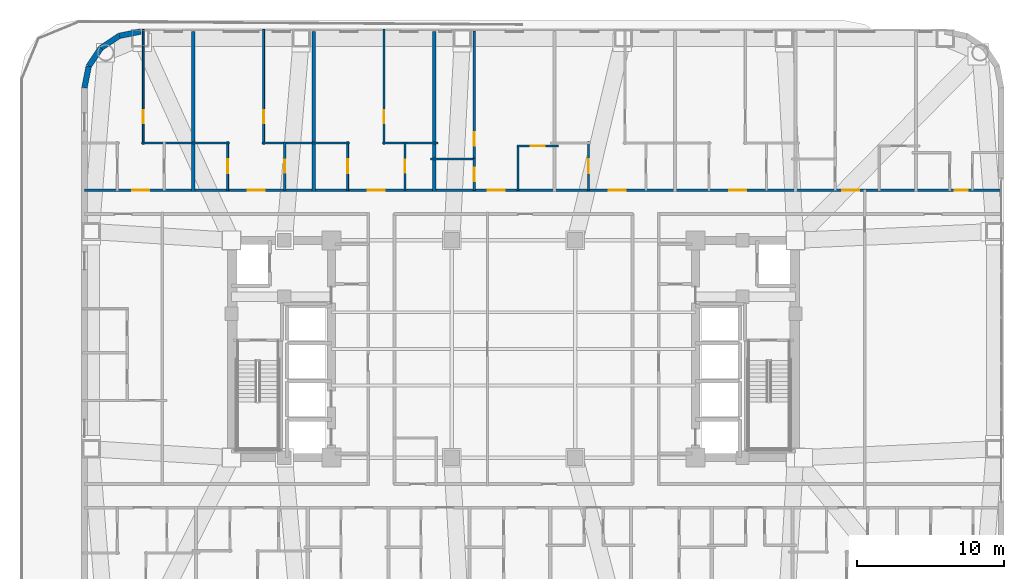
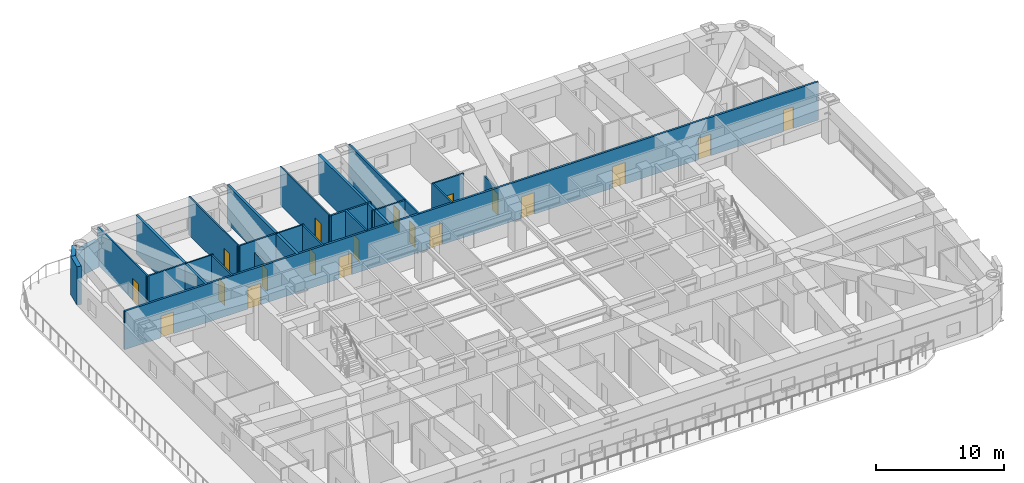
# One storey, part 11 of 18: 26 walls, 19 doors, 19 openings.
"""IFC4 building model written with IfcOpenShell, lengths in metres."""

from ifc_helpers import new_model, si_unit, direction, frame, frame_2d, origin, place, context, subcontext, project, spatial, rectangle, extrude, material, layer, layer_set, type_object, element, fill, save


model = new_model("IFC4")

# Units and contexts
model_context = context("Model", 3, precision=1e-05, world=origin(), true_north=direction((0.0, 1.0)))
body_context = subcontext(model_context, "Body", "Model", "MODEL_VIEW")
ifc_project = project(units=[si_unit("LENGTHUNIT", "METRE"), si_unit("AREAUNIT", "SQUARE_METRE"), si_unit("VOLUMEUNIT", "CUBIC_METRE"), si_unit("PLANEANGLEUNIT", "RADIAN"), si_unit("MASSUNIT", "GRAM", prefix="KILO")], contexts=[model_context])

# Site, building, storey
site_placement = place(None, origin())
site = spatial("IfcSite", under=ifc_project, at=site_placement, CompositionType="ELEMENT")
building_placement = place(site_placement, origin())
building = spatial("IfcBuilding", under=site, at=building_placement, Name="Voryun Gate Residences", CompositionType="ELEMENT")
storey_placement = place(building_placement, frame((0.0, 0.0, 85.800048828125)))
storey = spatial("IfcBuildingStorey", under=building, at=storey_placement, Name="L20", CompositionType="ELEMENT", Elevation=85.800048828125)

# Wall, openings, doors
ifc_material_1 = material(Name="Gypsum acoustic fireboard")
ifc_layer_1 = layer(ifc_material_1, 0.179931640625, Name="W_CORR_RATED_180")
ifc_layer_set_1 = layer_set([ifc_layer_1], Name="Gypsum acoustic fireboard")
wall_type_1 = type_object("IfcWallType", Name="W_CORR_RATED_180", PredefinedType="PARTITIONING", material=ifc_layer_set_1)
wall_1_placement = place(storey_placement, frame((-29.2099609375, 10.800048828125, 0.0), z_axis=(0.0, 0.0, 1.0), x_axis=(1.0, 0.0, 0.0)))
wall_1 = element("IfcWall", 1, at=wall_1_placement, inside=storey, type_object=wall_type_1, Name="Partition wall WP-L20-NCORR", PredefinedType="PARTITIONING", context=body_context, shape_type="SweptSolid", body=[
    extrude(rectangle(XDim=62.419921875, YDim=0.179931640625, at=frame_2d((31.2099609375, 0.0))), origin(), (0.0, 0.0, 1.0), 3.64990234375),
])
opening_1_placement = place(wall_1_placement, frame((3.263916015625, 0.0, 0.0)))
opening_1 = element("IfcOpeningElement", 2, at=opening_1_placement, cuts=wall_1, Name="Opening D-UNIT-1", PredefinedType="OPENING", context=body_context, shape_type="SweptSolid", body=[
    extrude(rectangle(XDim=1.14990234375, YDim=2.050048828125, at=frame_2d((0.574951171875, 1.02490234375))), frame((0.0, 0.099853515625, 0.0), z_axis=(0.0, -1.0, 0.0), x_axis=(1.0, 0.0, 0.0)), (0.0, 0.0, 1.0), 0.199951171875),
])
opening_2_placement = place(wall_1_placement, frame((11.1162109375, 0.0, 0.0)))
opening_2 = element("IfcOpeningElement", 3, at=opening_2_placement, cuts=wall_1, Name="Opening D-UNIT-1", PredefinedType="OPENING", context=body_context, shape_type="SweptSolid", body=[
    extrude(rectangle(XDim=1.14990234375, YDim=2.050048828125, at=frame_2d((0.574951171875, 1.02490234375))), frame((0.0, 0.099853515625, 0.0), z_axis=(0.0, -1.0, 0.0), x_axis=(1.0, 0.0, 0.0)), (0.0, 0.0, 1.0), 0.199951171875),
])
opening_3_placement = place(wall_1_placement, frame((19.299560546875, 0.0, 0.0)))
opening_3 = element("IfcOpeningElement", 4, at=opening_3_placement, cuts=wall_1, Name="Opening D-UNIT-1", PredefinedType="OPENING", context=body_context, shape_type="SweptSolid", body=[
    extrude(rectangle(XDim=1.14990234375, YDim=2.050048828125, at=frame_2d((0.574951171875, 1.02490234375))), frame((0.0, 0.099853515625, 0.0), z_axis=(0.0, -1.0, 0.0), x_axis=(1.0, 0.0, 0.0)), (0.0, 0.0, 1.0), 0.199951171875),
])
opening_4_placement = place(wall_1_placement, frame((27.45166015625, 0.0, 0.0)))
opening_4 = element("IfcOpeningElement", 5, at=opening_4_placement, cuts=wall_1, Name="Opening D-UNIT-1", PredefinedType="OPENING", context=body_context, shape_type="SweptSolid", body=[
    extrude(rectangle(XDim=1.14990234375, YDim=2.050048828125, at=frame_2d((0.574951171875, 1.02490234375))), frame((0.0, 0.099853515625, 0.0), z_axis=(0.0, -1.0, 0.0), x_axis=(1.0, 0.0, 0.0)), (0.0, 0.0, 1.0), 0.199951171875),
])
opening_5_placement = place(wall_1_placement, frame((35.697265625, 0.0, 0.0)))
opening_5 = element("IfcOpeningElement", 6, at=opening_5_placement, cuts=wall_1, Name="Opening D-UNIT-1", PredefinedType="OPENING", context=body_context, shape_type="SweptSolid", body=[
    extrude(rectangle(XDim=1.14990234375, YDim=2.050048828125, at=frame_2d((0.574951171875, 1.02490234375))), frame((0.0, 0.099853515625, 0.0), z_axis=(0.0, -1.0, 0.0), x_axis=(1.0, 0.0, 0.0)), (0.0, 0.0, 1.0), 0.199951171875),
])
opening_6_placement = place(wall_1_placement, frame((43.8994140625, 0.0, 0.0)))
opening_6 = element("IfcOpeningElement", 7, at=opening_6_placement, cuts=wall_1, Name="Opening D-UNIT-1", PredefinedType="OPENING", context=body_context, shape_type="SweptSolid", body=[
    extrude(rectangle(XDim=1.14990234375, YDim=2.050048828125, at=frame_2d((0.574951171875, 1.02490234375))), frame((0.0, 0.099853515625, 0.0), z_axis=(0.0, -1.0, 0.0), x_axis=(1.0, 0.0, 0.0)), (0.0, 0.0, 1.0), 0.199951171875),
])
opening_7_placement = place(wall_1_placement, frame((51.598876953125, 0.0, 0.0)))
opening_7 = element("IfcOpeningElement", 8, at=opening_7_placement, cuts=wall_1, Name="Opening D-UNIT-1", PredefinedType="OPENING", context=body_context, shape_type="SweptSolid", body=[
    extrude(rectangle(XDim=1.14990234375, YDim=2.050048828125, at=frame_2d((0.574951171875, 1.02490234375))), frame((0.0, 0.099853515625, 0.0), z_axis=(0.0, -1.0, 0.0), x_axis=(1.0, 0.0, 0.0)), (0.0, 0.0, 1.0), 0.199951171875),
])
opening_8_placement = place(wall_1_placement, frame((59.2421875, 0.0, 0.0)))
opening_8 = element("IfcOpeningElement", 9, at=opening_8_placement, cuts=wall_1, Name="Opening D-INT-2", PredefinedType="OPENING", context=body_context, shape_type="SweptSolid", body=[
    extrude(rectangle(XDim=0.89990234375, YDim=2.050048828125, at=frame_2d((0.449951171875, 1.02490234375))), frame((0.0, 0.099853515625, 0.0), z_axis=(0.0, -1.0, 0.0), x_axis=(1.0, 0.0, 0.0)), (0.0, 0.0, 1.0), 0.199951171875),
])
ifc_material_2 = material(Name="Architectural oak veneer")
door_type_1 = type_object("IfcDoorType", Name="DR_INT_BATH_900", OperationType="NOTDEFINED", PredefinedType="DOOR", material=ifc_material_2)
door_1_placement = place(opening_8_placement, origin())
door_1 = element("IfcDoor", 10, at=door_1_placement, inside=storey, type_object=door_type_1, Name="Door DR-L20-NENT-8", OperationType="SINGLE_SWING_RIGHT", OverallHeight=2.050048828125, OverallWidth=0.89990234375, PredefinedType="DOOR", context=body_context, shape_type="SweptSolid", body=[
    extrude(rectangle(XDim=0.89990234375, YDim=2.050048828125, at=frame_2d((0.449951171875, 1.02490234375))), frame((0.0, 0.02490234375, 0.0), z_axis=(0.0, -1.0, 0.0), x_axis=(1.0, 0.0, 0.0)), (0.0, 0.0, 1.0), 0.050048828125),
])
fill(opening_8, door_1)
ifc_material_3 = material(Name="Armoured timber-clad fire door", Category="wood")
door_type_2 = type_object("IfcDoorType", Name="DR_UNIT_ENTRY_1150", OperationType="NOTDEFINED", PredefinedType="DOOR", material=ifc_material_3)
door_2_placement = place(opening_1_placement, origin())
door_2 = element("IfcDoor", 11, at=door_2_placement, inside=storey, type_object=door_type_2, Name="Door DR-L20-NENT-1", OperationType="SINGLE_SWING_LEFT", OverallHeight=2.050048828125, OverallWidth=1.14990234375, PredefinedType="DOOR", context=body_context, shape_type="SweptSolid", body=[
    extrude(rectangle(XDim=1.14990234375, YDim=2.050048828125, at=frame_2d((0.574951171875, 1.02490234375))), frame((0.0, 0.02490234375, 0.0), z_axis=(0.0, -1.0, 0.0), x_axis=(1.0, 0.0, 0.0)), (0.0, 0.0, 1.0), 0.050048828125),
])
fill(opening_1, door_2)
door_3_placement = place(opening_2_placement, origin())
door_3 = element("IfcDoor", 12, at=door_3_placement, inside=storey, type_object=door_type_2, Name="Door DR-L20-NENT-2", OperationType="SINGLE_SWING_RIGHT", OverallHeight=2.050048828125, OverallWidth=1.14990234375, PredefinedType="DOOR", context=body_context, shape_type="SweptSolid", body=[
    extrude(rectangle(XDim=1.14990234375, YDim=2.050048828125, at=frame_2d((0.574951171875, 1.02490234375))), frame((0.0, 0.02490234375, 0.0), z_axis=(0.0, -1.0, 0.0), x_axis=(1.0, 0.0, 0.0)), (0.0, 0.0, 1.0), 0.050048828125),
])
fill(opening_2, door_3)
door_4_placement = place(opening_3_placement, origin())
door_4 = element("IfcDoor", 13, at=door_4_placement, inside=storey, type_object=door_type_2, Name="Door DR-L20-NENT-3", OperationType="SINGLE_SWING_LEFT", OverallHeight=2.050048828125, OverallWidth=1.14990234375, PredefinedType="DOOR", context=body_context, shape_type="SweptSolid", body=[
    extrude(rectangle(XDim=1.14990234375, YDim=2.050048828125, at=frame_2d((0.574951171875, 1.02490234375))), frame((0.0, 0.02490234375, 0.0), z_axis=(0.0, -1.0, 0.0), x_axis=(1.0, 0.0, 0.0)), (0.0, 0.0, 1.0), 0.050048828125),
])
fill(opening_3, door_4)
door_5_placement = place(opening_4_placement, origin())
door_5 = element("IfcDoor", 14, at=door_5_placement, inside=storey, type_object=door_type_2, Name="Door DR-L20-NENT-4", OperationType="SINGLE_SWING_RIGHT", OverallHeight=2.050048828125, OverallWidth=1.14990234375, PredefinedType="DOOR", context=body_context, shape_type="SweptSolid", body=[
    extrude(rectangle(XDim=1.14990234375, YDim=2.050048828125, at=frame_2d((0.574951171875, 1.02490234375))), frame((0.0, 0.02490234375, 0.0), z_axis=(0.0, -1.0, 0.0), x_axis=(1.0, 0.0, 0.0)), (0.0, 0.0, 1.0), 0.050048828125),
])
fill(opening_4, door_5)
door_6_placement = place(opening_5_placement, origin())
door_6 = element("IfcDoor", 15, at=door_6_placement, inside=storey, type_object=door_type_2, Name="Door DR-L20-NENT-5", OperationType="SINGLE_SWING_LEFT", OverallHeight=2.050048828125, OverallWidth=1.14990234375, PredefinedType="DOOR", context=body_context, shape_type="SweptSolid", body=[
    extrude(rectangle(XDim=1.14990234375, YDim=2.050048828125, at=frame_2d((0.574951171875, 1.02490234375))), frame((0.0, 0.02490234375, 0.0), z_axis=(0.0, -1.0, 0.0), x_axis=(1.0, 0.0, 0.0)), (0.0, 0.0, 1.0), 0.050048828125),
])
fill(opening_5, door_6)
door_7_placement = place(opening_6_placement, origin())
door_7 = element("IfcDoor", 16, at=door_7_placement, inside=storey, type_object=door_type_2, Name="Door DR-L20-NENT-6", OperationType="SINGLE_SWING_RIGHT", OverallHeight=2.050048828125, OverallWidth=1.14990234375, PredefinedType="DOOR", context=body_context, shape_type="SweptSolid", body=[
    extrude(rectangle(XDim=1.14990234375, YDim=2.050048828125, at=frame_2d((0.574951171875, 1.02490234375))), frame((0.0, 0.02490234375, 0.0), z_axis=(0.0, -1.0, 0.0), x_axis=(1.0, 0.0, 0.0)), (0.0, 0.0, 1.0), 0.050048828125),
])
fill(opening_6, door_7)
door_8_placement = place(opening_7_placement, origin())
door_8 = element("IfcDoor", 17, at=door_8_placement, inside=storey, type_object=door_type_2, Name="Door DR-L20-NENT-7", OperationType="SINGLE_SWING_LEFT", OverallHeight=2.050048828125, OverallWidth=1.14990234375, PredefinedType="DOOR", context=body_context, shape_type="SweptSolid", body=[
    extrude(rectangle(XDim=1.14990234375, YDim=2.050048828125, at=frame_2d((0.574951171875, 1.02490234375))), frame((0.0, 0.02490234375, 0.0), z_axis=(0.0, -1.0, 0.0), x_axis=(1.0, 0.0, 0.0)), (0.0, 0.0, 1.0), 0.050048828125),
])
fill(opening_7, door_8)

# Walls
ifc_material_4 = material(Name="Granite masonry", Category="masonry")
ifc_layer_2 = layer(ifc_material_4, 0.3798828125, Name="W_EXT_GRANITE_380")
ifc_layer_set_2 = layer_set([ifc_layer_2], Name="Granite masonry")
wall_type_2 = type_object("IfcWallType", Name="W_EXT_GRANITE_380", PredefinedType="ELEMENTEDWALL", material=ifc_layer_set_2)
wall_2_placement = place(storey_placement, frame((-29.2099609375, 17.78125, 0.0), z_axis=(0.0, 0.0, 1.0), x_axis=(0.195086038585, 0.980786132421, 0.0)))
element("IfcWall", 18, at=wall_2_placement, inside=storey, type_object=wall_type_2, Name="Exterior wall WEXT-L20-07", PredefinedType="ELEMENTEDWALL", context=body_context, shape_type="SweptSolid", body=[
    extrude(rectangle(XDim=1.504150390625, YDim=0.3798828125, at=frame_2d((0.751953125, 0.0))), origin(), (0.0, 0.0, 1.0), 3.64990234375),
])
wall_3_placement = place(storey_placement, frame((-28.91650390625, 19.256591796875, 0.0), z_axis=(0.0, 0.0, 1.0), x_axis=(0.555610286119, 0.831442848281, 0.0)))
element("IfcWall", 19, at=wall_3_placement, inside=storey, type_object=wall_type_2, Name="Exterior wall WEXT-L20-08", PredefinedType="ELEMENTEDWALL", context=body_context, shape_type="SweptSolid", body=[
    extrude(rectangle(XDim=1.485107421875, YDim=0.3798828125, at=frame_2d((0.74267578125, 0.0))), origin(), (0.0, 0.0, 1.0), 3.64990234375),
])
wall_4_placement = place(storey_placement, frame((-28.09130859375, 20.491455078125, 0.0), z_axis=(0.0, 0.0, 1.0), x_axis=(0.831468045563, 0.555572577804, 0.0)))
element("IfcWall", 20, at=wall_4_placement, inside=storey, type_object=wall_type_2, Name="Exterior wall WEXT-L20-09", PredefinedType="ELEMENTEDWALL", context=body_context, shape_type="SweptSolid", body=[
    extrude(rectangle(XDim=1.48486328125, YDim=0.3798828125, at=frame_2d((0.742431640625, 0.0))), origin(), (0.0, 0.0, 1.0), 2.5400390625),
])
wall_5_placement = place(storey_placement, frame((-26.856689453125, 21.31640625, 0.0), z_axis=(0.0, 0.0, 1.0), x_axis=(0.980755066645, 0.195242155415, 0.0)))
element("IfcWall", 21, at=wall_5_placement, inside=storey, type_object=wall_type_2, Name="Exterior wall WEXT-L20-10", PredefinedType="ELEMENTEDWALL", context=body_context, shape_type="SweptSolid", body=[
    extrude(rectangle(XDim=1.50439453125, YDim=0.3798828125, at=frame_2d((0.752197265625, 0.0))), origin(), (0.0, 0.0, 1.0), 2.5400390625),
])
ifc_material_5 = material(Name="Concrete C40/50", Category="concrete")
ifc_layer_3 = layer(ifc_material_5, 0.219970703125, Name="W_PARTY_ACOUSTIC_220")
ifc_layer_set_3 = layer_set([ifc_layer_3], Name="Concrete C40/50")
wall_type_3 = type_object("IfcWallType", Name="W_PARTY_ACOUSTIC_220", PredefinedType="PARTITIONING", material=ifc_layer_set_3)
for number, where, z_axis, x_axis, name in (
    (22, (-21.800048828125, 10.719970703125, 0.0), (0.0, 0.0, 1.0), (0.0, 1.0, 0.0), "Partition wall WP-L20-NPTY-1"),
    (23, (-13.60009765625, 10.719970703125, 0.0), (0.0, 0.0, 1.0), (0.0, 1.0, 0.0), "Partition wall WP-L20-NPTY-2"),
    (24, (-5.39990234375, 10.719970703125, 0.0), (0.0, 0.0, 1.0), (0.0, 1.0, 0.0), "Partition wall WP-L20-NPTY-3"),
):
    element("IfcWall", number, at=place(storey_placement, frame(where, z_axis=z_axis, x_axis=x_axis)), inside=storey, type_object=wall_type_3, Name=name, PredefinedType="PARTITIONING", context=body_context, shape_type="SweptSolid", body=[
        extrude(rectangle(XDim=10.89013671875, YDim=0.219970703125, at=frame_2d((5.445068359375, 0.0))), origin(), (0.0, 0.0, 1.0), 3.64990234375),
    ])

# Wall, opening, door
ifc_material_6 = material(Name="Gypsum acoustic partition")
ifc_layer_4 = layer(ifc_material_6, 0.125, Name="W_UNIT_PART_125")
ifc_layer_set_4 = layer_set([ifc_layer_4], Name="Gypsum acoustic partition")
wall_type_4 = type_object("IfcWallType", Name="W_UNIT_PART_125", PredefinedType="PARTITIONING", material=ifc_layer_set_4)
wall_6_placement = place(storey_placement, frame((-25.2099609375, 13.93994140625, 0.0), z_axis=(0.0, 0.0, 1.0), x_axis=(0.0, 1.0, 0.0)))
wall_6 = element("IfcWall", 25, at=wall_6_placement, inside=storey, type_object=wall_type_4, Name="Partition wall WP-L20-N1-OVR", PredefinedType="PARTITIONING", context=body_context, shape_type="SweptSolid", body=[
    extrude(rectangle(XDim=7.820068359375, YDim=0.125, at=frame_2d((3.91015625, 0.0))), origin(), (0.0, 0.0, 1.0), 3.64990234375),
])
opening_9_placement = place(wall_6_placement, frame((1.4267578125, 0.0, 0.0)))
opening_9 = element("IfcOpeningElement", 26, at=opening_9_placement, cuts=wall_6, Name="Opening D-INT-2", PredefinedType="OPENING", context=body_context, shape_type="SweptSolid", body=[
    extrude(rectangle(XDim=0.89990234375, YDim=2.050048828125, at=frame_2d((0.449951171875, 1.02490234375))), frame((0.0, 0.072509765625, 0.0), z_axis=(0.0, -1.0, 0.0), x_axis=(1.0, 0.0, 0.0)), (0.0, 0.0, 1.0), 0.14501953125),
])
door_9_placement = place(opening_9_placement, origin())
door_9 = element("IfcDoor", 27, at=door_9_placement, inside=storey, type_object=door_type_1, Name="Door DR-L20-N1-DMB", OperationType="SINGLE_SWING_RIGHT", OverallHeight=2.050048828125, OverallWidth=0.89990234375, PredefinedType="DOOR", context=body_context, shape_type="SweptSolid", body=[
    extrude(rectangle(XDim=0.89990234375, YDim=2.050048828125, at=frame_2d((0.449951171875, 1.02490234375))), frame((0.0, 0.02490234375, 0.0), z_axis=(0.0, -1.0, 0.0), x_axis=(1.0, 0.0, 0.0)), (0.0, 0.0, 1.0), 0.050048828125),
])
fill(opening_9, door_9)

wall_7_placement = place(storey_placement, frame((-17.010009765625, 13.93994140625, 0.0), z_axis=(0.0, 0.0, 1.0), x_axis=(0.0, 1.0, 0.0)))
wall_7 = element("IfcWall", 28, at=wall_7_placement, inside=storey, type_object=wall_type_4, Name="Partition wall WP-L20-N2-OVR", PredefinedType="PARTITIONING", context=body_context, shape_type="SweptSolid", body=[
    extrude(rectangle(XDim=7.820068359375, YDim=0.125, at=frame_2d((3.91015625, 0.0))), origin(), (0.0, 0.0, 1.0), 3.64990234375),
])
opening_10_placement = place(wall_7_placement, frame((1.4267578125, 0.0, 0.0)))
opening_10 = element("IfcOpeningElement", 29, at=opening_10_placement, cuts=wall_7, Name="Opening D-INT-2", PredefinedType="OPENING", context=body_context, shape_type="SweptSolid", body=[
    extrude(rectangle(XDim=0.89990234375, YDim=2.050048828125, at=frame_2d((0.449951171875, 1.02490234375))), frame((0.0, 0.072509765625, 0.0), z_axis=(0.0, -1.0, 0.0), x_axis=(1.0, 0.0, 0.0)), (0.0, 0.0, 1.0), 0.14501953125),
])
door_10_placement = place(opening_10_placement, origin())
door_10 = element("IfcDoor", 30, at=door_10_placement, inside=storey, type_object=door_type_1, Name="Door DR-L20-N2-DMB", OperationType="SINGLE_SWING_RIGHT", OverallHeight=2.050048828125, OverallWidth=0.89990234375, PredefinedType="DOOR", context=body_context, shape_type="SweptSolid", body=[
    extrude(rectangle(XDim=0.89990234375, YDim=2.050048828125, at=frame_2d((0.449951171875, 1.02490234375))), frame((0.0, 0.02490234375, 0.0), z_axis=(0.0, -1.0, 0.0), x_axis=(1.0, 0.0, 0.0)), (0.0, 0.0, 1.0), 0.050048828125),
])
fill(opening_10, door_10)

wall_8_placement = place(storey_placement, frame((-19.4609375, 10.780029296875, 0.0), z_axis=(0.0, 0.0, 1.0), x_axis=(0.0, 1.0, 0.0)))
wall_8 = element("IfcWall", 31, at=wall_8_placement, inside=storey, type_object=wall_type_4, Name="Partition wall WP-L20-N2-IVK", PredefinedType="PARTITIONING", context=body_context, shape_type="SweptSolid", body=[
    extrude(rectangle(XDim=3.320068359375, YDim=0.125, at=frame_2d((1.66015625, 0.0))), origin(), (0.0, 0.0, 1.0), 3.64990234375),
])
opening_11_placement = place(wall_8_placement, frame((1.18505859375, 0.0, 0.0)))
opening_11 = element("IfcOpeningElement", 32, at=opening_11_placement, cuts=wall_8, Name="Opening D-INT-1", PredefinedType="OPENING", context=body_context, shape_type="SweptSolid", body=[
    extrude(rectangle(XDim=0.949951171875, YDim=2.050048828125, at=frame_2d((0.47509765625, 1.02490234375))), frame((0.0, 0.072509765625, 0.0), z_axis=(0.0, -1.0, 0.0), x_axis=(1.0, 0.0, 0.0)), (0.0, 0.0, 1.0), 0.14501953125),
])
ifc_material_7 = material(Name="Architectural oak veneer")
door_type_3 = type_object("IfcDoorType", Name="DR_INT_ROOM_950", OperationType="NOTDEFINED", PredefinedType="DOOR", material=ifc_material_7)
door_11_placement = place(opening_11_placement, origin())
door_11 = element("IfcDoor", 33, at=door_11_placement, inside=storey, type_object=door_type_3, Name="Door DR-L20-N2-DK", OperationType="SINGLE_SWING_LEFT", OverallHeight=2.050048828125, OverallWidth=0.949951171875, PredefinedType="DOOR", context=body_context, shape_type="SweptSolid", body=[
    extrude(rectangle(XDim=0.949951171875, YDim=2.050048828125, at=frame_2d((0.47509765625, 1.02490234375))), frame((0.0, 0.02490234375, 0.0), z_axis=(0.0, -1.0, 0.0), x_axis=(1.0, 0.0, 0.0)), (0.0, 0.0, 1.0), 0.050048828125),
])
fill(opening_11, door_11)

# Wall
wall_9_placement = place(storey_placement, frame((-21.875, 14.02001953125, 0.0), z_axis=(0.0, 0.0, 1.0), x_axis=(1.0, 0.0, 0.0)))
element("IfcWall", 34, at=wall_9_placement, inside=storey, type_object=wall_type_4, Name="Partition wall WP-L20-N2-HZK", PredefinedType="PARTITIONING", context=body_context, shape_type="SweptSolid", body=[
    extrude(rectangle(XDim=2.533935546875, YDim=0.125, at=frame_2d((1.26708984375, 0.0))), origin(), (0.0, 0.0, 1.0), 3.64990234375),
])

# Wall, opening, door
wall_10_placement = place(storey_placement, frame((-8.81005859375, 13.93994140625, 0.0), z_axis=(0.0, 0.0, 1.0), x_axis=(0.0, 1.0, 0.0)))
wall_10 = element("IfcWall", 35, at=wall_10_placement, inside=storey, type_object=wall_type_4, Name="Partition wall WP-L20-N3-OVR", PredefinedType="PARTITIONING", context=body_context, shape_type="SweptSolid", body=[
    extrude(rectangle(XDim=7.820068359375, YDim=0.125, at=frame_2d((3.91015625, 0.0))), origin(), (0.0, 0.0, 1.0), 3.64990234375),
])
opening_12_placement = place(wall_10_placement, frame((1.4267578125, 0.0, 0.0)))
opening_12 = element("IfcOpeningElement", 36, at=opening_12_placement, cuts=wall_10, Name="Opening D-INT-2", PredefinedType="OPENING", context=body_context, shape_type="SweptSolid", body=[
    extrude(rectangle(XDim=0.89990234375, YDim=2.050048828125, at=frame_2d((0.449951171875, 1.02490234375))), frame((0.0, 0.072509765625, 0.0), z_axis=(0.0, -1.0, 0.0), x_axis=(1.0, 0.0, 0.0)), (0.0, 0.0, 1.0), 0.14501953125),
])
door_12_placement = place(opening_12_placement, origin())
door_12 = element("IfcDoor", 37, at=door_12_placement, inside=storey, type_object=door_type_1, Name="Door DR-L20-N3-DMB", OperationType="SINGLE_SWING_RIGHT", OverallHeight=2.050048828125, OverallWidth=0.89990234375, PredefinedType="DOOR", context=body_context, shape_type="SweptSolid", body=[
    extrude(rectangle(XDim=0.89990234375, YDim=2.050048828125, at=frame_2d((0.449951171875, 1.02490234375))), frame((0.0, 0.02490234375, 0.0), z_axis=(0.0, -1.0, 0.0), x_axis=(1.0, 0.0, 0.0)), (0.0, 0.0, 1.0), 0.050048828125),
])
fill(opening_12, door_12)

wall_11_placement = place(storey_placement, frame((-11.2900390625, 10.780029296875, 0.0), z_axis=(0.0, 0.0, 1.0), x_axis=(0.0, 1.0, 0.0)))
wall_11 = element("IfcWall", 38, at=wall_11_placement, inside=storey, type_object=wall_type_4, Name="Partition wall WP-L20-N3-IVK", PredefinedType="PARTITIONING", context=body_context, shape_type="SweptSolid", body=[
    extrude(rectangle(XDim=3.320068359375, YDim=0.125, at=frame_2d((1.66015625, 0.0))), origin(), (0.0, 0.0, 1.0), 3.64990234375),
])
opening_13_placement = place(wall_11_placement, frame((1.18505859375, 0.0, 0.0)))
opening_13 = element("IfcOpeningElement", 39, at=opening_13_placement, cuts=wall_11, Name="Opening D-INT-1", PredefinedType="OPENING", context=body_context, shape_type="SweptSolid", body=[
    extrude(rectangle(XDim=0.949951171875, YDim=2.050048828125, at=frame_2d((0.47509765625, 1.02490234375))), frame((0.0, 0.072509765625, 0.0), z_axis=(0.0, -1.0, 0.0), x_axis=(1.0, 0.0, 0.0)), (0.0, 0.0, 1.0), 0.14501953125),
])
door_13_placement = place(opening_13_placement, origin())
door_13 = element("IfcDoor", 40, at=door_13_placement, inside=storey, type_object=door_type_3, Name="Door DR-L20-N3-DK", OperationType="SINGLE_SWING_LEFT", OverallHeight=2.050048828125, OverallWidth=0.949951171875, PredefinedType="DOOR", context=body_context, shape_type="SweptSolid", body=[
    extrude(rectangle(XDim=0.949951171875, YDim=2.050048828125, at=frame_2d((0.47509765625, 1.02490234375))), frame((0.0, 0.02490234375, 0.0), z_axis=(0.0, -1.0, 0.0), x_axis=(1.0, 0.0, 0.0)), (0.0, 0.0, 1.0), 0.050048828125),
])
fill(opening_13, door_13)

# Wall
wall_12_placement = place(storey_placement, frame((-13.675048828125, 14.02001953125, 0.0), z_axis=(0.0, 0.0, 1.0), x_axis=(1.0, 0.0, 0.0)))
element("IfcWall", 41, at=wall_12_placement, inside=storey, type_object=wall_type_4, Name="Partition wall WP-L20-N3-HZK", PredefinedType="PARTITIONING", context=body_context, shape_type="SweptSolid", body=[
    extrude(rectangle(XDim=2.505126953125, YDim=0.125, at=frame_2d((1.25244140625, 0.0))), origin(), (0.0, 0.0, 1.0), 3.64990234375),
])

# Wall, opening, door
wall_13_placement = place(storey_placement, frame((0.243896484375, 13.820068359375, 0.0), z_axis=(0.0, 0.0, 1.0), x_axis=(1.0, 0.0, 0.0)))
wall_13 = element("IfcWall", 42, at=wall_13_placement, inside=storey, type_object=wall_type_4, Name="Partition wall WP-L20-N4-KHY", PredefinedType="PARTITIONING", context=body_context, shape_type="SweptSolid", body=[
    extrude(rectangle(XDim=2.816162109375, YDim=0.125, at=frame_2d((1.408203125, 0.0))), origin(), (0.0, 0.0, 1.0), 3.64990234375),
])
opening_14_placement = place(wall_13_placement, frame((0.93310546875, 0.0, 0.0)))
opening_14 = element("IfcOpeningElement", 43, at=opening_14_placement, cuts=wall_13, Name="Opening D-INT-1", PredefinedType="OPENING", context=body_context, shape_type="SweptSolid", body=[
    extrude(rectangle(XDim=0.949951171875, YDim=2.050048828125, at=frame_2d((0.47509765625, 1.02490234375))), frame((0.0, 0.072509765625, 0.0), z_axis=(0.0, -1.0, 0.0), x_axis=(1.0, 0.0, 0.0)), (0.0, 0.0, 1.0), 0.14501953125),
])
door_14_placement = place(opening_14_placement, origin())
door_14 = element("IfcDoor", 44, at=door_14_placement, inside=storey, type_object=door_type_3, Name="Door DR-L20-N4-DK", OperationType="SINGLE_SWING_LEFT", OverallHeight=2.050048828125, OverallWidth=0.949951171875, PredefinedType="DOOR", context=body_context, shape_type="SweptSolid", body=[
    extrude(rectangle(XDim=0.949951171875, YDim=2.050048828125, at=frame_2d((0.47509765625, 1.02490234375))), frame((0.0, 0.02490234375, 0.0), z_axis=(0.0, -1.0, 0.0), x_axis=(1.0, 0.0, 0.0)), (0.0, 0.0, 1.0), 0.050048828125),
])
fill(opening_14, door_14)

# Wall
wall_14_placement = place(storey_placement, frame((0.303955078125, 10.780029296875, 0.0), z_axis=(0.0, 0.0, 1.0), x_axis=(0.0, 1.0, 0.0)))
element("IfcWall", 45, at=wall_14_placement, inside=storey, type_object=wall_type_4, Name="Partition wall WP-L20-N4-KVX", PredefinedType="PARTITIONING", context=body_context, shape_type="SweptSolid", body=[
    extrude(rectangle(XDim=3.099853515625, YDim=0.125, at=frame_2d((1.5498046875, 0.0))), origin(), (0.0, 0.0, 1.0), 3.64990234375),
])

# Wall, opening, door
wall_15_placement = place(storey_placement, frame((5.110107421875, 10.780029296875, 0.0), z_axis=(0.0, 0.0, 1.0), x_axis=(0.0, 1.0, 0.0)))
wall_15 = element("IfcWall", 46, at=wall_15_placement, inside=storey, type_object=wall_type_4, Name="Partition wall WP-L20-N5-IVK", PredefinedType="PARTITIONING", context=body_context, shape_type="SweptSolid", body=[
    extrude(rectangle(XDim=3.320068359375, YDim=0.125, at=frame_2d((1.66015625, 0.0))), origin(), (0.0, 0.0, 1.0), 2.5400390625),
])
opening_15_placement = place(wall_15_placement, frame((1.18505859375, 0.0, 0.0)))
opening_15 = element("IfcOpeningElement", 47, at=opening_15_placement, cuts=wall_15, Name="Opening D-INT-1", PredefinedType="OPENING", context=body_context, shape_type="SweptSolid", body=[
    extrude(rectangle(XDim=0.949951171875, YDim=2.050048828125, at=frame_2d((0.47509765625, 1.02490234375))), frame((0.0, 0.072509765625, 0.0), z_axis=(0.0, -1.0, 0.0), x_axis=(1.0, 0.0, 0.0)), (0.0, 0.0, 1.0), 0.14501953125),
])
door_15_placement = place(opening_15_placement, origin())
door_15 = element("IfcDoor", 48, at=door_15_placement, inside=storey, type_object=door_type_3, Name="Door DR-L20-N5-DK", OperationType="SINGLE_SWING_LEFT", OverallHeight=2.050048828125, OverallWidth=0.949951171875, PredefinedType="DOOR", context=body_context, shape_type="SweptSolid", body=[
    extrude(rectangle(XDim=0.949951171875, YDim=2.050048828125, at=frame_2d((0.47509765625, 1.02490234375))), frame((0.0, 0.02490234375, 0.0), z_axis=(0.0, -1.0, 0.0), x_axis=(1.0, 0.0, 0.0)), (0.0, 0.0, 1.0), 0.050048828125),
])
fill(opening_15, door_15)

# Walls
ifc_material_8 = material(Name="Gypsum moisture-resistant partition")
ifc_layer_5 = layer(ifc_material_8, 0.14990234375, Name="W_WET_PLUMB_150")
ifc_layer_set_5 = layer_set([ifc_layer_5], Name="Gypsum moisture-resistant partition")
wall_type_5 = type_object("IfcWallType", Name="W_WET_PLUMB_150", PredefinedType="PLUMBINGWALL", material=ifc_layer_set_5)
for number, where, z_axis, x_axis, name in (
    (49, (-25.330078125, 14.02001953125, 0.0), (0.0, 0.0, 1.0), (1.0, 0.0, 0.0), "Partition wall WP-L20-N1-HZB"),
    (50, (-17.1298828125, 14.02001953125, 0.0), (0.0, 0.0, 1.0), (1.0, 0.0, 0.0), "Partition wall WP-L20-N2-HZB"),
):
    element("IfcWall", number, at=place(storey_placement, frame(where, z_axis=z_axis, x_axis=x_axis)), inside=storey, type_object=wall_type_5, Name=name, PredefinedType="PLUMBINGWALL", context=body_context, shape_type="SweptSolid", body=[
        extrude(rectangle(XDim=3.60498046875, YDim=0.14990234375, at=frame_2d((1.802490234375, 0.0))), origin(), (0.0, 0.0, 1.0), 3.64990234375),
    ])

# Wall, opening, door
wall_16_placement = place(storey_placement, frame((-15.580078125, 10.780029296875, 0.0), z_axis=(0.0, 0.0, 1.0), x_axis=(0.0, 1.0, 0.0)))
wall_16 = element("IfcWall", 51, at=wall_16_placement, inside=storey, type_object=wall_type_5, Name="Partition wall WP-L20-N2-IVB", PredefinedType="PLUMBINGWALL", context=body_context, shape_type="SweptSolid", body=[
    extrude(rectangle(XDim=3.320068359375, YDim=0.14990234375, at=frame_2d((1.66015625, 0.0))), origin(), (0.0, 0.0, 1.0), 2.5400390625),
])
opening_16_placement = place(wall_16_placement, frame((1.2099609375, 0.0, 0.0)))
opening_16 = element("IfcOpeningElement", 52, at=opening_16_placement, cuts=wall_16, Name="Opening D-INT-2", PredefinedType="OPENING", context=body_context, shape_type="SweptSolid", body=[
    extrude(rectangle(XDim=0.89990234375, YDim=2.050048828125, at=frame_2d((0.449951171875, 1.02490234375))), frame((0.0, 0.0849609375, 0.0), z_axis=(0.0, -1.0, 0.0), x_axis=(1.0, 0.0, 0.0)), (0.0, 0.0, 1.0), 0.169921875),
])
door_16_placement = place(opening_16_placement, origin())
door_16 = element("IfcDoor", 53, at=door_16_placement, inside=storey, type_object=door_type_1, Name="Door DR-L20-N2-DB", OperationType="SINGLE_SWING_RIGHT", OverallHeight=2.050048828125, OverallWidth=0.89990234375, PredefinedType="DOOR", context=body_context, shape_type="SweptSolid", body=[
    extrude(rectangle(XDim=0.89990234375, YDim=2.050048828125, at=frame_2d((0.449951171875, 1.02490234375))), frame((0.0, 0.02490234375, 0.0), z_axis=(0.0, -1.0, 0.0), x_axis=(1.0, 0.0, 0.0)), (0.0, 0.0, 1.0), 0.050048828125),
])
fill(opening_16, door_16)

# Wall
wall_17_placement = place(storey_placement, frame((-8.929931640625, 14.02001953125, 0.0), z_axis=(0.0, 0.0, 1.0), x_axis=(1.0, 0.0, 0.0)))
element("IfcWall", 54, at=wall_17_placement, inside=storey, type_object=wall_type_5, Name="Partition wall WP-L20-N3-HZB", PredefinedType="PLUMBINGWALL", context=body_context, shape_type="SweptSolid", body=[
    extrude(rectangle(XDim=3.7900390625, YDim=0.14990234375, at=frame_2d((1.89501953125, 0.0))), origin(), (0.0, 0.0, 1.0), 3.64990234375),
])

# Wall, opening, door
wall_18_placement = place(storey_placement, frame((-7.3798828125, 10.780029296875, 0.0), z_axis=(0.0, 0.0, 1.0), x_axis=(0.0, 1.0, 0.0)))
wall_18 = element("IfcWall", 55, at=wall_18_placement, inside=storey, type_object=wall_type_5, Name="Partition wall WP-L20-N3-IVB", PredefinedType="PLUMBINGWALL", context=body_context, shape_type="SweptSolid", body=[
    extrude(rectangle(XDim=3.320068359375, YDim=0.14990234375, at=frame_2d((1.66015625, 0.0))), origin(), (0.0, 0.0, 1.0), 3.64990234375),
])
opening_17_placement = place(wall_18_placement, frame((1.2099609375, 0.0, 0.0)))
opening_17 = element("IfcOpeningElement", 56, at=opening_17_placement, cuts=wall_18, Name="Opening D-INT-2", PredefinedType="OPENING", context=body_context, shape_type="SweptSolid", body=[
    extrude(rectangle(XDim=0.89990234375, YDim=2.050048828125, at=frame_2d((0.449951171875, 1.02490234375))), frame((0.0, 0.0849609375, 0.0), z_axis=(0.0, -1.0, 0.0), x_axis=(1.0, 0.0, 0.0)), (0.0, 0.0, 1.0), 0.169921875),
])
door_17_placement = place(opening_17_placement, origin())
door_17 = element("IfcDoor", 57, at=door_17_placement, inside=storey, type_object=door_type_1, Name="Door DR-L20-N3-DB", OperationType="SINGLE_SWING_RIGHT", OverallHeight=2.050048828125, OverallWidth=0.89990234375, PredefinedType="DOOR", context=body_context, shape_type="SweptSolid", body=[
    extrude(rectangle(XDim=0.89990234375, YDim=2.050048828125, at=frame_2d((0.449951171875, 1.02490234375))), frame((0.0, 0.02490234375, 0.0), z_axis=(0.0, -1.0, 0.0), x_axis=(1.0, 0.0, 0.0)), (0.0, 0.0, 1.0), 0.050048828125),
])
fill(opening_17, door_17)

# Wall
wall_19_placement = place(storey_placement, frame((-5.659912109375, 12.93994140625, 0.0), z_axis=(0.0, 0.0, 1.0), x_axis=(1.0, 0.0, 0.0)))
element("IfcWall", 58, at=wall_19_placement, inside=storey, type_object=wall_type_5, Name="Partition wall WP-L20-N4-LHY", PredefinedType="PLUMBINGWALL", context=body_context, shape_type="SweptSolid", body=[
    extrude(rectangle(XDim=3.06591796875, YDim=0.14990234375, at=frame_2d((1.532958984375, 0.0))), origin(), (0.0, 0.0, 1.0), 3.64990234375),
])

# Wall, opening, door
wall_20_placement = place(storey_placement, frame((-2.674072265625, 10.780029296875, 0.0), z_axis=(0.0, 0.0, 1.0), x_axis=(0.0, 1.0, 0.0)))
wall_20 = element("IfcWall", 59, at=wall_20_placement, inside=storey, type_object=wall_type_5, Name="Partition wall WP-L20-N4-LVX1", PredefinedType="PLUMBINGWALL", context=body_context, shape_type="SweptSolid", body=[
    extrude(rectangle(XDim=2.199951171875, YDim=0.14990234375, at=frame_2d((1.10009765625, 0.0))), origin(), (0.0, 0.0, 1.0), 3.64990234375),
])
opening_18_placement = place(wall_20_placement, frame((0.64990234375, 0.0, 0.0)))
opening_18 = element("IfcOpeningElement", 60, at=opening_18_placement, cuts=wall_20, Name="Opening D-INT-2", PredefinedType="OPENING", context=body_context, shape_type="SweptSolid", body=[
    extrude(rectangle(XDim=0.89990234375, YDim=2.050048828125, at=frame_2d((0.449951171875, 1.02490234375))), frame((0.0, 0.0849609375, 0.0), z_axis=(0.0, -1.0, 0.0), x_axis=(1.0, 0.0, 0.0)), (0.0, 0.0, 1.0), 0.169921875),
])
door_18_placement = place(opening_18_placement, origin())
door_18 = element("IfcDoor", 61, at=door_18_placement, inside=storey, type_object=door_type_1, Name="Door DR-L20-N4-DB", OperationType="SINGLE_SWING_LEFT", OverallHeight=2.050048828125, OverallWidth=0.89990234375, PredefinedType="DOOR", context=body_context, shape_type="SweptSolid", body=[
    extrude(rectangle(XDim=0.89990234375, YDim=2.050048828125, at=frame_2d((0.449951171875, 1.02490234375))), frame((0.0, 0.02490234375, 0.0), z_axis=(0.0, -1.0, 0.0), x_axis=(1.0, 0.0, 0.0)), (0.0, 0.0, 1.0), 0.050048828125),
])
fill(opening_18, door_18)

wall_21_placement = place(storey_placement, frame((-2.674072265625, 12.89990234375, 0.0), z_axis=(0.0, 0.0, 1.0), x_axis=(0.0, 1.0, 0.0)))
wall_21 = element("IfcWall", 62, at=wall_21_placement, inside=storey, type_object=wall_type_5, Name="Partition wall WP-L20-N4-LVX2", PredefinedType="PLUMBINGWALL", context=body_context, shape_type="SweptSolid", body=[
    extrude(rectangle(XDim=8.7578125, YDim=0.14990234375, at=frame_2d((4.37890625, 0.0))), origin(), (0.0, 0.0, 1.0), 3.64990234375),
])
opening_19_placement = place(wall_21_placement, frame((0.951171875, 0.0, 0.0)))
opening_19 = element("IfcOpeningElement", 63, at=opening_19_placement, cuts=wall_21, Name="Opening D-INT-2", PredefinedType="OPENING", context=body_context, shape_type="SweptSolid", body=[
    extrude(rectangle(XDim=0.89990234375, YDim=2.050048828125, at=frame_2d((0.449951171875, 1.02490234375))), frame((0.0, 0.0849609375, 0.0), z_axis=(0.0, -1.0, 0.0), x_axis=(1.0, 0.0, 0.0)), (0.0, 0.0, 1.0), 0.169921875),
])
door_19_placement = place(opening_19_placement, origin())
door_19 = element("IfcDoor", 64, at=door_19_placement, inside=storey, type_object=door_type_1, Name="Door DR-L20-N4-DMB", OperationType="SINGLE_SWING_RIGHT", OverallHeight=2.050048828125, OverallWidth=0.89990234375, PredefinedType="DOOR", context=body_context, shape_type="SweptSolid", body=[
    extrude(rectangle(XDim=0.89990234375, YDim=2.050048828125, at=frame_2d((0.449951171875, 1.02490234375))), frame((0.0, 0.02490234375, 0.0), z_axis=(0.0, -1.0, 0.0), x_axis=(1.0, 0.0, 0.0)), (0.0, 0.0, 1.0), 0.050048828125),
])
fill(opening_19, door_19)

save(model, "model.ifc")
